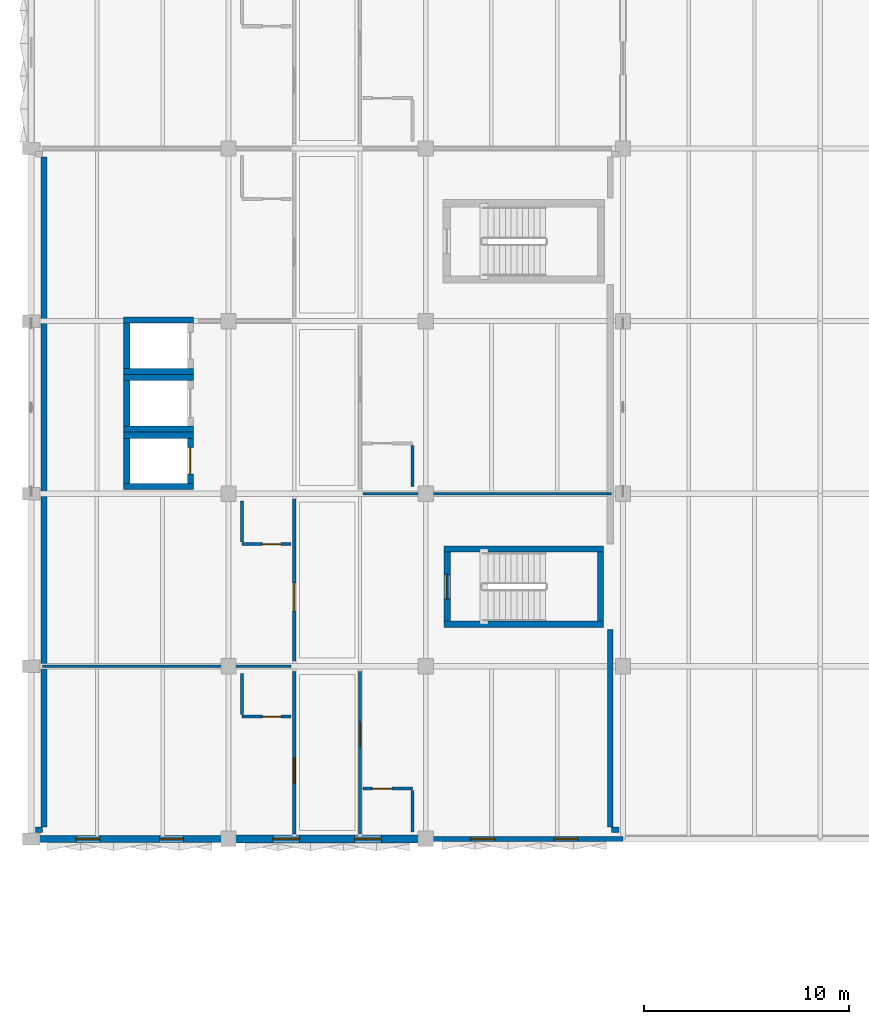
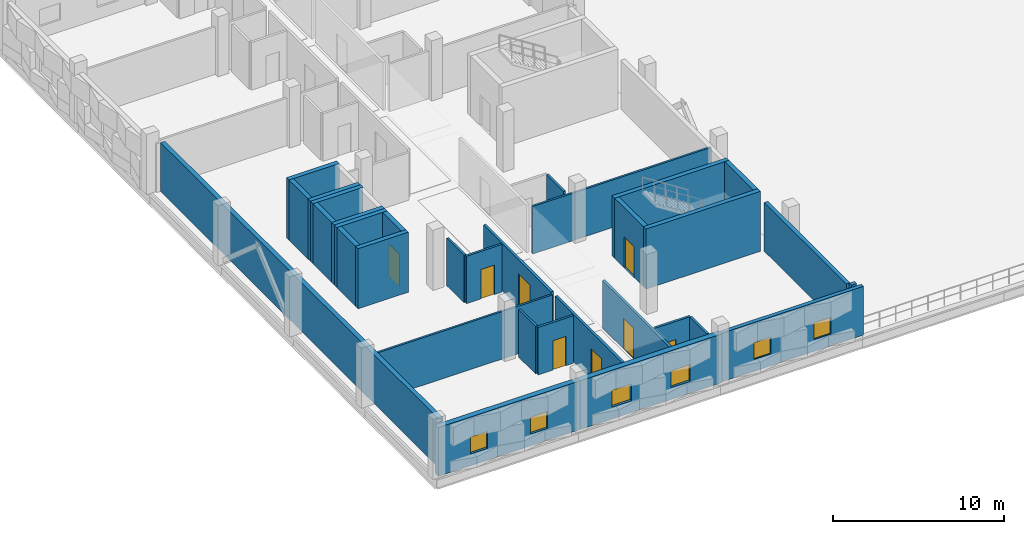
# One storey, part 54 of 86: 33 walls, 8 doors, 6 windows, 14 openings.
"""IFC4 building model written with IfcOpenShell, lengths in metres."""

from ifc_helpers import new_model, si_unit, direction, frame, frame_2d, origin, place, context, subcontext, project, spatial, rectangle, extrude, material, layer, layer_set, type_object, element, fill, save


model = new_model("IFC4")

# Units and contexts
model_context = context("Model", 3, precision=1e-05, world=origin(), true_north=direction((0.0, 1.0)))
body_context = subcontext(model_context, "Body", "Model", "MODEL_VIEW")
ifc_project = project(units=[si_unit("LENGTHUNIT", "METRE"), si_unit("AREAUNIT", "SQUARE_METRE"), si_unit("VOLUMEUNIT", "CUBIC_METRE"), si_unit("PLANEANGLEUNIT", "RADIAN"), si_unit("MASSUNIT", "GRAM", prefix="KILO")], contexts=[model_context])

# Site, building, storey
site_placement = place(None, origin())
site = spatial("IfcSite", under=ifc_project, at=site_placement, CompositionType="ELEMENT")
building_placement = place(site_placement, origin())
building = spatial("IfcBuilding", under=site, at=building_placement, Name="Oolite Switchyard Hospital", CompositionType="ELEMENT")
storey_placement = place(building_placement, frame((0.0, 0.0, 13.5)))
storey = spatial("IfcBuildingStorey", under=building, at=storey_placement, Name="L03", CompositionType="ELEMENT", Elevation=13.5)

# Wall, openings, windows
ifc_material_1 = material(Name="Precast oolitic limestone architectural concrete C40/50", Category="masonry")
ifc_layer_1 = layer(ifc_material_1, 0.260009765625)
ifc_layer_set_1 = layer_set([ifc_layer_1], Name="WAL-EXT-260")
wall_type_1 = type_object("IfcWallType", Name="WAL-EXT-260", PredefinedType="SOLIDWALL", material=ifc_layer_set_1)
wall_1_placement = place(storey_placement, frame((28.800048828125, 33.60009765625, 0.0), z_axis=(0.0, 0.0, 1.0), x_axis=(-1.0, 0.0, 0.0)))
wall_1 = element("IfcWall", 1, at=wall_1_placement, inside=storey, type_object=wall_type_1, Name="L03 Exterior Spandrel Wall 179", PredefinedType="SOLIDWALL", context=body_context, shape_type="SweptSolid", body=[
    extrude(rectangle(XDim=9.60009765625, YDim=0.260009765625, at=frame_2d((4.800048828125, 0.0))), origin(), (0.0, 0.0, 1.0), 3.489990234375),
])
opening_1_placement = place(wall_1_placement, frame((2.197021484375, 0.0, 0.85009765625)))
opening_1 = element("IfcOpeningElement", 2, at=opening_1_placement, cuts=wall_1, Name="Opening WN-0070", PredefinedType="OPENING", context=body_context, shape_type="SweptSolid", body=[
    extrude(rectangle(XDim=1.14990234375, YDim=1.199951171875, at=frame_2d((0.574951171875, 0.60009765625))), frame((0.0, 0.14013671875, 0.0), z_axis=(0.0, -1.0, 0.0), x_axis=(1.0, 0.0, 0.0)), (0.0, 0.0, 1.0), 0.280029296875),
])
opening_2_placement = place(wall_1_placement, frame((6.2529296875, 0.0, 0.85009765625)))
opening_2 = element("IfcOpeningElement", 3, at=opening_2_placement, cuts=wall_1, Name="Opening WN-0071", PredefinedType="OPENING", context=body_context, shape_type="SweptSolid", body=[
    extrude(rectangle(XDim=1.14990234375, YDim=1.199951171875, at=frame_2d((0.574951171875, 0.60009765625))), frame((0.0, 0.14013671875, 0.0), z_axis=(0.0, -1.0, 0.0), x_axis=(1.0, 0.0, 0.0)), (0.0, 0.0, 1.0), 0.280029296875),
])
ifc_material_2 = material(Name="Thermally broken aluminum frame with laminated impact glazing", Category="aluminium")
window_type_1 = type_object("IfcWindowType", Name="WIN-IMP-115X120", PartitioningType="SINGLE_PANEL", PredefinedType="WINDOW", material=ifc_material_2)
window_1_placement = place(opening_1_placement, origin())
window_1 = element("IfcWindow", 4, at=window_1_placement, inside=storey, type_object=window_type_1, Name="L03 Hurricane Impact Window WN-0070", OverallHeight=1.199951171875, OverallWidth=1.14990234375, PartitioningType="SINGLE_PANEL", PredefinedType="WINDOW", context=body_context, shape_type="SweptSolid", body=[
    extrude(rectangle(XDim=1.14990234375, YDim=1.199951171875, at=frame_2d((0.574951171875, 0.60009765625))), frame((0.0, 0.030029296875, 0.0), z_axis=(0.0, -1.0, 0.0), x_axis=(1.0, 0.0, 0.0)), (0.0, 0.0, 1.0), 0.06005859375),
])
fill(opening_1, window_1)
window_2_placement = place(opening_2_placement, origin())
window_2 = element("IfcWindow", 5, at=window_2_placement, inside=storey, type_object=window_type_1, Name="L03 Hurricane Impact Window WN-0071", OverallHeight=1.199951171875, OverallWidth=1.14990234375, PartitioningType="SINGLE_PANEL", PredefinedType="WINDOW", context=body_context, shape_type="SweptSolid", body=[
    extrude(rectangle(XDim=1.14990234375, YDim=1.199951171875, at=frame_2d((0.574951171875, 0.60009765625))), frame((0.0, 0.030029296875, 0.0), z_axis=(0.0, -1.0, 0.0), x_axis=(1.0, 0.0, 0.0)), (0.0, 0.0, 1.0), 0.06005859375),
])
fill(opening_2, window_2)

# Walls
for number, where, z_axis, x_axis, name in (
    (6, (0.199951171875, 34.0400390625, 0.0), (0.0, 0.0, 1.0), (1.0, 0.0, 0.0), "L03 Brace Alcove Cheek Wall 221"),
    (7, (28.60009765625, 34.0400390625, 0.0), (0.0, 0.0, 1.0), (-1.0, 0.0, 0.0), "L03 Brace Alcove Cheek Wall 227"),
):
    element("IfcWall", number, at=place(storey_placement, frame(where, z_axis=z_axis, x_axis=x_axis)), inside=storey, type_object=wall_type_1, Name=name, PredefinedType="SOLIDWALL", context=body_context, shape_type="SweptSolid", body=[
        extrude(rectangle(XDim=0.360107421875, YDim=0.260009765625, at=frame_2d((0.18017578125, 0.0))), origin(), (0.0, 0.0, 1.0), 3.489990234375),
    ])
wall_2_placement = place(storey_placement, frame((28.179931640625, 43.800048828125, 0.0), z_axis=(0.0, 0.0, 1.0), x_axis=(0.0, -1.0, 0.0)))
element("IfcWall", 8, at=wall_2_placement, inside=storey, type_object=wall_type_1, Name="L03 Exterior Spandrel Wall 228", PredefinedType="SOLIDWALL", context=body_context, shape_type="SweptSolid", body=[
    extrude(rectangle(XDim=9.6201171875, YDim=0.260009765625, at=frame_2d((4.81005859375, 0.0))), origin(), (0.0, 0.0, 1.0), 3.489990234375),
])
ifc_layer_2 = layer(ifc_material_1, 0.300048828125)
ifc_layer_set_2 = layer_set([ifc_layer_2], Name="WAL-EXT-300")
wall_type_2 = type_object("IfcWallType", Name="WAL-EXT-300", PredefinedType="SOLIDWALL", material=ifc_layer_set_2)
wall_3_placement = place(storey_placement, frame((0.6201171875, 34.179931640625, 0.0), z_axis=(0.0, 0.0, 1.0), x_axis=(0.0, 1.0, 0.0)))
element("IfcWall", 9, at=wall_3_placement, inside=storey, type_object=wall_type_2, Name="L03 Exterior Spandrel Wall 223", PredefinedType="SOLIDWALL", context=body_context, shape_type="SweptSolid", body=[
    extrude(rectangle(XDim=32.60009765625, YDim=0.300048828125, at=frame_2d((16.300048828125, 0.0))), origin(), (0.0, 0.0, 1.0), 3.489990234375),
])

# Wall, openings, windows
ifc_layer_3 = layer(ifc_material_1, 0.360107421875)
ifc_layer_set_3 = layer_set([ifc_layer_3], Name="WAL-EXT-360")
wall_type_3 = type_object("IfcWallType", Name="WAL-EXT-360", PredefinedType="SOLIDWALL", material=ifc_layer_set_3)
wall_4_placement = place(storey_placement, frame((9.60009765625, 33.60009765625, 0.0), z_axis=(0.0, 0.0, 1.0), x_axis=(-1.0, 0.0, 0.0)))
wall_4 = element("IfcWall", 10, at=wall_4_placement, inside=storey, type_object=wall_type_3, Name="L03 Exterior Spandrel Wall 177", PredefinedType="SOLIDWALL", context=body_context, shape_type="SweptSolid", body=[
    extrude(rectangle(XDim=9.60009765625, YDim=0.360107421875, at=frame_2d((4.800048828125, 0.0))), origin(), (0.0, 0.0, 1.0), 3.489990234375),
])
opening_3_placement = place(wall_4_placement, frame((2.197021484375, 0.0, 0.85009765625)))
opening_3 = element("IfcOpeningElement", 11, at=opening_3_placement, cuts=wall_4, Name="Opening WN-0066", PredefinedType="OPENING", context=body_context, shape_type="SweptSolid", body=[
    extrude(rectangle(XDim=1.14990234375, YDim=1.199951171875, at=frame_2d((0.574951171875, 0.60009765625))), frame((0.0, 0.18994140625, 0.0), z_axis=(0.0, -1.0, 0.0), x_axis=(1.0, 0.0, 0.0)), (0.0, 0.0, 1.0), 0.380126953125),
])
opening_4_placement = place(wall_4_placement, frame((6.2529296875, 0.0, 0.85009765625)))
opening_4 = element("IfcOpeningElement", 12, at=opening_4_placement, cuts=wall_4, Name="Opening WN-0067", PredefinedType="OPENING", context=body_context, shape_type="SweptSolid", body=[
    extrude(rectangle(XDim=1.14990234375, YDim=1.199951171875, at=frame_2d((0.574951171875, 0.60009765625))), frame((0.0, 0.18994140625, 0.0), z_axis=(0.0, -1.0, 0.0), x_axis=(1.0, 0.0, 0.0)), (0.0, 0.0, 1.0), 0.380126953125),
])
window_3_placement = place(opening_3_placement, origin())
window_3 = element("IfcWindow", 13, at=window_3_placement, inside=storey, type_object=window_type_1, Name="L03 Hurricane Impact Window WN-0066", OverallHeight=1.199951171875, OverallWidth=1.14990234375, PartitioningType="SINGLE_PANEL", PredefinedType="WINDOW", context=body_context, shape_type="SweptSolid", body=[
    extrude(rectangle(XDim=1.14990234375, YDim=1.199951171875, at=frame_2d((0.574951171875, 0.60009765625))), frame((0.0, 0.030029296875, 0.0), z_axis=(0.0, -1.0, 0.0), x_axis=(1.0, 0.0, 0.0)), (0.0, 0.0, 1.0), 0.06005859375),
])
fill(opening_3, window_3)
window_4_placement = place(opening_4_placement, origin())
window_4 = element("IfcWindow", 14, at=window_4_placement, inside=storey, type_object=window_type_1, Name="L03 Hurricane Impact Window WN-0067", OverallHeight=1.199951171875, OverallWidth=1.14990234375, PartitioningType="SINGLE_PANEL", PredefinedType="WINDOW", context=body_context, shape_type="SweptSolid", body=[
    extrude(rectangle(XDim=1.14990234375, YDim=1.199951171875, at=frame_2d((0.574951171875, 0.60009765625))), frame((0.0, 0.030029296875, 0.0), z_axis=(0.0, -1.0, 0.0), x_axis=(1.0, 0.0, 0.0)), (0.0, 0.0, 1.0), 0.06005859375),
])
fill(opening_4, window_4)

ifc_layer_4 = layer(ifc_material_1, 0.3798828125)
ifc_layer_set_4 = layer_set([ifc_layer_4], Name="WAL-EXT-380")
wall_type_4 = type_object("IfcWallType", Name="WAL-EXT-380", PredefinedType="SOLIDWALL", material=ifc_layer_set_4)
wall_5_placement = place(storey_placement, frame((19.199951171875, 33.60009765625, 0.0), z_axis=(0.0, 0.0, 1.0), x_axis=(-1.0, 0.0, 0.0)))
wall_5 = element("IfcWall", 15, at=wall_5_placement, inside=storey, type_object=wall_type_4, Name="L03 Exterior Spandrel Wall 178", PredefinedType="SOLIDWALL", context=body_context, shape_type="SweptSolid", body=[
    extrude(rectangle(XDim=9.599853515625, YDim=0.3798828125, at=frame_2d((4.7998046875, 0.0))), origin(), (0.0, 0.0, 1.0), 3.489990234375),
])
opening_5_placement = place(wall_5_placement, frame((2.157958984375, 0.0, 0.85009765625)))
opening_5 = element("IfcOpeningElement", 16, at=opening_5_placement, cuts=wall_5, Name="Opening WN-0068", PredefinedType="OPENING", context=body_context, shape_type="SweptSolid", body=[
    extrude(rectangle(XDim=1.300048828125, YDim=1.199951171875, at=frame_2d((0.64990234375, 0.60009765625))), frame((0.0, 0.199951171875, 0.0), z_axis=(0.0, -1.0, 0.0), x_axis=(1.0, 0.0, 0.0)), (0.0, 0.0, 1.0), 0.39990234375),
])
opening_6_placement = place(wall_5_placement, frame((6.14208984375, 0.0, 0.85009765625)))
opening_6 = element("IfcOpeningElement", 17, at=opening_6_placement, cuts=wall_5, Name="Opening WN-0069", PredefinedType="OPENING", context=body_context, shape_type="SweptSolid", body=[
    extrude(rectangle(XDim=1.300048828125, YDim=1.199951171875, at=frame_2d((0.64990234375, 0.60009765625))), frame((0.0, 0.199951171875, 0.0), z_axis=(0.0, -1.0, 0.0), x_axis=(1.0, 0.0, 0.0)), (0.0, 0.0, 1.0), 0.39990234375),
])
window_type_2 = type_object("IfcWindowType", Name="WIN-IMP-130X120", PartitioningType="SINGLE_PANEL", PredefinedType="WINDOW", material=ifc_material_2)
window_5_placement = place(opening_5_placement, origin())
window_5 = element("IfcWindow", 18, at=window_5_placement, inside=storey, type_object=window_type_2, Name="L03 Hurricane Impact Window WN-0068", OverallHeight=1.199951171875, OverallWidth=1.300048828125, PartitioningType="SINGLE_PANEL", PredefinedType="WINDOW", context=body_context, shape_type="SweptSolid", body=[
    extrude(rectangle(XDim=1.300048828125, YDim=1.199951171875, at=frame_2d((0.64990234375, 0.60009765625))), frame((0.0, 0.030029296875, 0.0), z_axis=(0.0, -1.0, 0.0), x_axis=(1.0, 0.0, 0.0)), (0.0, 0.0, 1.0), 0.06005859375),
])
fill(opening_5, window_5)
window_6_placement = place(opening_6_placement, origin())
window_6 = element("IfcWindow", 19, at=window_6_placement, inside=storey, type_object=window_type_2, Name="L03 Hurricane Impact Window WN-0069", OverallHeight=1.199951171875, OverallWidth=1.300048828125, PartitioningType="SINGLE_PANEL", PredefinedType="WINDOW", context=body_context, shape_type="SweptSolid", body=[
    extrude(rectangle(XDim=1.300048828125, YDim=1.199951171875, at=frame_2d((0.64990234375, 0.60009765625))), frame((0.0, 0.030029296875, 0.0), z_axis=(0.0, -1.0, 0.0), x_axis=(1.0, 0.0, 0.0)), (0.0, 0.0, 1.0), 0.06005859375),
])
fill(opening_6, window_6)

# Walls
ifc_material_3 = material(Name="Moisture-resistant gypsum board on steel studs", Category="steel")
ifc_layer_5 = layer(ifc_material_3, 0.135009765625)
ifc_layer_set_5 = layer_set([ifc_layer_5], Name="WAL-PART-135")
wall_type_5 = type_object("IfcWallType", Name="WAL-PART-135", PredefinedType="PARTITIONING", material=ifc_layer_set_5)
wall_6_placement = place(storey_placement, frame((0.550048828125, 42.0, 0.0), z_axis=(0.0, 0.0, 1.0), x_axis=(1.0, 0.0, 0.0)))
element("IfcWall", 20, at=wall_6_placement, inside=storey, type_object=wall_type_5, Name="L03 Interior Partition 641", PredefinedType="PARTITIONING", context=body_context, shape_type="SweptSolid", body=[
    extrude(rectangle(XDim=12.099853515625, YDim=0.135009765625, at=frame_2d((6.0498046875, 0.0))), origin(), (0.0, 0.0, 1.0), 3.39990234375),
])
wall_7_placement = place(storey_placement, frame((16.14990234375, 50.39990234375, 0.0), z_axis=(0.0, 0.0, 1.0), x_axis=(1.0, 0.0, 0.0)))
element("IfcWall", 21, at=wall_7_placement, inside=storey, type_object=wall_type_5, Name="L03 Interior Partition 645", PredefinedType="PARTITIONING", context=body_context, shape_type="SweptSolid", body=[
    extrude(rectangle(XDim=12.10009765625, YDim=0.135009765625, at=frame_2d((6.050048828125, 0.0))), origin(), (0.0, 0.0, 1.0), 3.39990234375),
])

# Wall, opening, door
ifc_layer_6 = layer(ifc_material_3, 0.14990234375)
ifc_layer_set_6 = layer_set([ifc_layer_6], Name="WAL-PART-150")
wall_type_6 = type_object("IfcWallType", Name="WAL-PART-150", PredefinedType="PARTITIONING", material=ifc_layer_set_6)
wall_8_placement = place(storey_placement, frame((10.25, 39.550048828125, 0.0), z_axis=(0.0, 0.0, 1.0), x_axis=(1.0, 0.0, 0.0)))
wall_8 = element("IfcWall", 22, at=wall_8_placement, inside=storey, type_object=wall_type_6, Name="L03 Interior Partition 633", PredefinedType="PARTITIONING", context=body_context, shape_type="SweptSolid", body=[
    extrude(rectangle(XDim=2.39990234375, YDim=0.14990234375, at=frame_2d((1.199951171875, 0.0))), origin(), (0.0, 0.0, 1.0), 3.39990234375),
])
opening_7_placement = place(wall_8_placement, frame((1.0, 0.0, 0.0)))
opening_7 = element("IfcOpeningElement", 23, at=opening_7_placement, cuts=wall_8, Name="Opening D-0355", PredefinedType="OPENING", context=body_context, shape_type="SweptSolid", body=[
    extrude(rectangle(XDim=0.89990234375, YDim=2.10009765625, at=frame_2d((0.449951171875, 1.050048828125))), frame((0.0, 0.0849609375, 0.0), z_axis=(0.0, -1.0, 0.0), x_axis=(1.0, 0.0, 0.0)), (0.0, 0.0, 1.0), 0.169921875),
])
ifc_material_4 = material(Name="Solid-core antimicrobial hardwood leaf in steel frame", Category="steel")
door_type_1 = type_object("IfcDoorType", Name="DR-BATH-090X210", OperationType="NOTDEFINED", PredefinedType="DOOR", material=ifc_material_4)
door_1_placement = place(opening_7_placement, origin())
door_1 = element("IfcDoor", 24, at=door_1_placement, inside=storey, type_object=door_type_1, Name="L03 Interior Door D-0355", OperationType="SINGLE_SWING_RIGHT", OverallHeight=2.10009765625, OverallWidth=0.89990234375, PredefinedType="DOOR", context=body_context, shape_type="SweptSolid", body=[
    extrude(rectangle(XDim=0.89990234375, YDim=2.10009765625, at=frame_2d((0.449951171875, 1.050048828125))), frame((0.0, 0.02490234375, 0.0), z_axis=(0.0, -1.0, 0.0), x_axis=(1.0, 0.0, 0.0)), (0.0, 0.0, 1.0), 0.050048828125),
])
fill(opening_7, door_1)

# Wall
wall_9_placement = place(storey_placement, frame((10.25, 39.64990234375, 0.0), z_axis=(0.0, 0.0, 1.0), x_axis=(0.0, 1.0, 0.0)))
element("IfcWall", 25, at=wall_9_placement, inside=storey, type_object=wall_type_6, Name="L03 Interior Partition 634", PredefinedType="PARTITIONING", context=body_context, shape_type="SweptSolid", body=[
    extrude(rectangle(XDim=2.0, YDim=0.14990234375, at=frame_2d((1.0, 0.0))), origin(), (0.0, 0.0, 1.0), 3.39990234375),
])

# Wall, opening, door
wall_10_placement = place(storey_placement, frame((16.14990234375, 36.050048828125, 0.0), z_axis=(0.0, 0.0, 1.0), x_axis=(1.0, 0.0, 0.0)))
wall_10 = element("IfcWall", 26, at=wall_10_placement, inside=storey, type_object=wall_type_6, Name="L03 Interior Partition 636", PredefinedType="PARTITIONING", context=body_context, shape_type="SweptSolid", body=[
    extrude(rectangle(XDim=2.400146484375, YDim=0.14990234375, at=frame_2d((1.2001953125, 0.0))), origin(), (0.0, 0.0, 1.0), 3.39990234375),
])
opening_8_placement = place(wall_10_placement, frame((0.449951171875, 0.0, 0.0)))
opening_8 = element("IfcOpeningElement", 27, at=opening_8_placement, cuts=wall_10, Name="Opening D-0357", PredefinedType="OPENING", context=body_context, shape_type="SweptSolid", body=[
    extrude(rectangle(XDim=0.949951171875, YDim=2.10009765625, at=frame_2d((0.47509765625, 1.050048828125))), frame((0.0, 0.0849609375, 0.0), z_axis=(0.0, -1.0, 0.0), x_axis=(1.0, 0.0, 0.0)), (0.0, 0.0, 1.0), 0.169921875),
])
door_type_2 = type_object("IfcDoorType", Name="DR-BATH-095X210", OperationType="NOTDEFINED", PredefinedType="DOOR", material=ifc_material_4)
door_2_placement = place(opening_8_placement, origin())
door_2 = element("IfcDoor", 28, at=door_2_placement, inside=storey, type_object=door_type_2, Name="L03 Interior Door D-0357", OperationType="SINGLE_SWING_LEFT", OverallHeight=2.10009765625, OverallWidth=0.949951171875, PredefinedType="DOOR", context=body_context, shape_type="SweptSolid", body=[
    extrude(rectangle(XDim=0.949951171875, YDim=2.10009765625, at=frame_2d((0.47509765625, 1.050048828125))), frame((0.0, 0.02490234375, 0.0), z_axis=(0.0, -1.0, 0.0), x_axis=(1.0, 0.0, 0.0)), (0.0, 0.0, 1.0), 0.050048828125),
])
fill(opening_8, door_2)

# Wall
wall_11_placement = place(storey_placement, frame((18.550048828125, 33.949951171875, 0.0), z_axis=(0.0, 0.0, 1.0), x_axis=(0.0, 1.0, 0.0)))
element("IfcWall", 29, at=wall_11_placement, inside=storey, type_object=wall_type_6, Name="L03 Interior Partition 637", PredefinedType="PARTITIONING", context=body_context, shape_type="SweptSolid", body=[
    extrude(rectangle(XDim=2.0, YDim=0.14990234375, at=frame_2d((1.0, 0.0))), origin(), (0.0, 0.0, 1.0), 3.39990234375),
])

# Wall, opening, door
wall_12_placement = place(storey_placement, frame((10.25, 47.949951171875, 0.0), z_axis=(0.0, 0.0, 1.0), x_axis=(1.0, 0.0, 0.0)))
wall_12 = element("IfcWall", 30, at=wall_12_placement, inside=storey, type_object=wall_type_6, Name="L03 Interior Partition 639", PredefinedType="PARTITIONING", context=body_context, shape_type="SweptSolid", body=[
    extrude(rectangle(XDim=2.39990234375, YDim=0.14990234375, at=frame_2d((1.199951171875, 0.0))), origin(), (0.0, 0.0, 1.0), 3.39990234375),
])
opening_9_placement = place(wall_12_placement, frame((1.0, 0.0, 0.0)))
opening_9 = element("IfcOpeningElement", 31, at=opening_9_placement, cuts=wall_12, Name="Opening D-0359", PredefinedType="OPENING", context=body_context, shape_type="SweptSolid", body=[
    extrude(rectangle(XDim=0.89990234375, YDim=2.10009765625, at=frame_2d((0.449951171875, 1.050048828125))), frame((0.0, 0.0849609375, 0.0), z_axis=(0.0, -1.0, 0.0), x_axis=(1.0, 0.0, 0.0)), (0.0, 0.0, 1.0), 0.169921875),
])
door_3_placement = place(opening_9_placement, origin())
door_3 = element("IfcDoor", 32, at=door_3_placement, inside=storey, type_object=door_type_1, Name="L03 Interior Door D-0359", OperationType="SINGLE_SWING_LEFT", OverallHeight=2.10009765625, OverallWidth=0.89990234375, PredefinedType="DOOR", context=body_context, shape_type="SweptSolid", body=[
    extrude(rectangle(XDim=0.89990234375, YDim=2.10009765625, at=frame_2d((0.449951171875, 1.050048828125))), frame((0.0, 0.02490234375, 0.0), z_axis=(0.0, -1.0, 0.0), x_axis=(1.0, 0.0, 0.0)), (0.0, 0.0, 1.0), 0.050048828125),
])
fill(opening_9, door_3)

# Walls
for number, where, z_axis, x_axis, name in (
    (33, (10.25, 48.050048828125, 0.0), (0.0, 0.0, 1.0), (0.0, 1.0, 0.0), "L03 Interior Partition 640"),
    (34, (18.550048828125, 50.75, 0.0), (0.0, 0.0, 1.0), (0.0, 1.0, 0.0), "L03 Interior Partition 644"),
):
    element("IfcWall", number, at=place(storey_placement, frame(where, z_axis=z_axis, x_axis=x_axis)), inside=storey, type_object=wall_type_6, Name=name, PredefinedType="PARTITIONING", context=body_context, shape_type="SweptSolid", body=[
        extrude(rectangle(XDim=2.0, YDim=0.14990234375, at=frame_2d((1.0, 0.0))), origin(), (0.0, 0.0, 1.0), 3.39990234375),
    ])

# Wall, opening, door
ifc_layer_7 = layer(ifc_material_3, 0.1650390625)
ifc_layer_set_7 = layer_set([ifc_layer_7], Name="WAL-PART-165")
wall_type_7 = type_object("IfcWallType", Name="WAL-PART-165", PredefinedType="PARTITIONING", material=ifc_layer_set_7)
wall_13_placement = place(storey_placement, frame((12.800048828125, 33.85009765625, 0.0), z_axis=(0.0, 0.0, 1.0), x_axis=(0.0, 1.0, 0.0)))
wall_13 = element("IfcWall", 35, at=wall_13_placement, inside=storey, type_object=wall_type_7, Name="L03 Interior Partition 632", PredefinedType="PARTITIONING", context=body_context, shape_type="SweptSolid", body=[
    extrude(rectangle(XDim=7.89990234375, YDim=0.1650390625, at=frame_2d((3.949951171875, 0.0))), origin(), (0.0, 0.0, 1.0), 3.39990234375),
])
opening_10_placement = place(wall_13_placement, frame((2.449951171875, 0.0, 0.0)))
opening_10 = element("IfcOpeningElement", 36, at=opening_10_placement, cuts=wall_13, Name="Opening D-0354", PredefinedType="OPENING", context=body_context, shape_type="SweptSolid", body=[
    extrude(rectangle(XDim=1.25, YDim=2.199951171875, at=frame_2d((0.625, 1.10009765625))), frame((0.0, 0.092529296875, 0.0), z_axis=(0.0, -1.0, 0.0), x_axis=(1.0, 0.0, 0.0)), (0.0, 0.0, 1.0), 0.18505859375),
])
door_type_3 = type_object("IfcDoorType", Name="DR-WARD-125X220", OperationType="NOTDEFINED", PredefinedType="DOOR", material=ifc_material_4)
door_4_placement = place(opening_10_placement, origin())
door_4 = element("IfcDoor", 37, at=door_4_placement, inside=storey, type_object=door_type_3, Name="L03 Interior Door D-0354", OperationType="SINGLE_SWING_LEFT", OverallHeight=2.199951171875, OverallWidth=1.25, PredefinedType="DOOR", context=body_context, shape_type="SweptSolid", body=[
    extrude(rectangle(XDim=1.25, YDim=2.199951171875, at=frame_2d((0.625, 1.10009765625))), frame((0.0, 0.02490234375, 0.0), z_axis=(0.0, -1.0, 0.0), x_axis=(1.0, 0.0, 0.0)), (0.0, 0.0, 1.0), 0.050048828125),
])
fill(opening_10, door_4)

wall_14_placement = place(storey_placement, frame((16.0, 33.85009765625, 0.0), z_axis=(0.0, 0.0, 1.0), x_axis=(0.0, 1.0, 0.0)))
wall_14 = element("IfcWall", 38, at=wall_14_placement, inside=storey, type_object=wall_type_7, Name="L03 Interior Partition 635", PredefinedType="PARTITIONING", context=body_context, shape_type="SweptSolid", body=[
    extrude(rectangle(XDim=7.89990234375, YDim=0.1650390625, at=frame_2d((3.949951171875, 0.0))), origin(), (0.0, 0.0, 1.0), 3.39990234375),
])
opening_11_placement = place(wall_14_placement, frame((4.25, 0.0, 0.0)))
opening_11 = element("IfcOpeningElement", 39, at=opening_11_placement, cuts=wall_14, Name="Opening D-0356", PredefinedType="OPENING", context=body_context, shape_type="SweptSolid", body=[
    extrude(rectangle(XDim=1.199951171875, YDim=2.199951171875, at=frame_2d((0.60009765625, 1.10009765625))), frame((0.0, 0.092529296875, 0.0), z_axis=(0.0, -1.0, 0.0), x_axis=(1.0, 0.0, 0.0)), (0.0, 0.0, 1.0), 0.18505859375),
])
door_type_4 = type_object("IfcDoorType", Name="DR-WARD-120X220", OperationType="NOTDEFINED", PredefinedType="DOOR", material=ifc_material_4)
door_5_placement = place(opening_11_placement, origin())
door_5 = element("IfcDoor", 40, at=door_5_placement, inside=storey, type_object=door_type_4, Name="L03 Interior Door D-0356", OperationType="SINGLE_SWING_RIGHT", OverallHeight=2.199951171875, OverallWidth=1.199951171875, PredefinedType="DOOR", context=body_context, shape_type="SweptSolid", body=[
    extrude(rectangle(XDim=1.199951171875, YDim=2.199951171875, at=frame_2d((0.60009765625, 1.10009765625))), frame((0.0, 0.02490234375, 0.0), z_axis=(0.0, -1.0, 0.0), x_axis=(1.0, 0.0, 0.0)), (0.0, 0.0, 1.0), 0.050048828125),
])
fill(opening_11, door_5)

wall_15_placement = place(storey_placement, frame((12.800048828125, 42.25, 0.0), z_axis=(0.0, 0.0, 1.0), x_axis=(0.0, 1.0, 0.0)))
wall_15 = element("IfcWall", 41, at=wall_15_placement, inside=storey, type_object=wall_type_7, Name="L03 Interior Partition 638", PredefinedType="PARTITIONING", context=body_context, shape_type="SweptSolid", body=[
    extrude(rectangle(XDim=7.89990234375, YDim=0.1650390625, at=frame_2d((3.949951171875, 0.0))), origin(), (0.0, 0.0, 1.0), 3.39990234375),
])
opening_12_placement = place(wall_15_placement, frame((2.449951171875, 0.0, 0.0)))
opening_12 = element("IfcOpeningElement", 42, at=opening_12_placement, cuts=wall_15, Name="Opening D-0358", PredefinedType="OPENING", context=body_context, shape_type="SweptSolid", body=[
    extrude(rectangle(XDim=1.35009765625, YDim=2.39990234375, at=frame_2d((0.675048828125, 1.199951171875))), frame((0.0, 0.092529296875, 0.0), z_axis=(0.0, -1.0, 0.0), x_axis=(1.0, 0.0, 0.0)), (0.0, 0.0, 1.0), 0.18505859375),
])
door_type_5 = type_object("IfcDoorType", Name="DR-ICU-135X240", OperationType="NOTDEFINED", PredefinedType="DOOR", material=ifc_material_4)
door_6_placement = place(opening_12_placement, origin())
door_6 = element("IfcDoor", 43, at=door_6_placement, inside=storey, type_object=door_type_5, Name="L03 Interior Door D-0358", OperationType="SINGLE_SWING_RIGHT", OverallHeight=2.39990234375, OverallWidth=1.35009765625, PredefinedType="DOOR", context=body_context, shape_type="SweptSolid", body=[
    extrude(rectangle(XDim=1.35009765625, YDim=2.39990234375, at=frame_2d((0.675048828125, 1.199951171875))), frame((0.0, 0.02490234375, 0.0), z_axis=(0.0, -1.0, 0.0), x_axis=(1.0, 0.0, 0.0)), (0.0, 0.0, 1.0), 0.050048828125),
])
fill(opening_12, door_6)

# Walls
ifc_material_5 = material(Name="Concrete C50/60", Category="concrete")
ifc_layer_8 = layer(ifc_material_5, 0.300048828125)
ifc_layer_set_8 = layer_set([ifc_layer_8], Name="WAL-SHR-300")
wall_type_8 = type_object("IfcWallType", Name="WAL-SHR-300", PredefinedType="SHEAR", material=ifc_layer_set_8)
wall_16_placement = place(storey_placement, frame((20.10009765625, 44.050048828125, 0.0), z_axis=(0.0, 0.0, 1.0), x_axis=(1.0, 0.0, 0.0)))
element("IfcWall", 44, at=wall_16_placement, inside=storey, type_object=wall_type_8, Name="L03 Core Shear Wall ST-01", PredefinedType="SHEAR", context=body_context, shape_type="SweptSolid", body=[
    extrude(rectangle(XDim=7.75, YDim=0.300048828125, at=frame_2d((3.875, 0.0))), origin(), (0.0, 0.0, 1.0), 4.300048828125),
])
wall_17_placement = place(storey_placement, frame((27.699951171875, 44.199951171875, 0.0), z_axis=(0.0, 0.0, 1.0), x_axis=(0.0, 1.0, 0.0)))
element("IfcWall", 45, at=wall_17_placement, inside=storey, type_object=wall_type_8, Name="L03 Core Shear Wall ST-01", PredefinedType="SHEAR", context=body_context, shape_type="SweptSolid", body=[
    extrude(rectangle(XDim=3.360107421875, YDim=0.300048828125, at=frame_2d((1.68017578125, 0.0))), origin(), (0.0, 0.0, 1.0), 4.300048828125),
])
wall_18_placement = place(storey_placement, frame((27.85009765625, 47.7099609375, 0.0), z_axis=(0.0, 0.0, 1.0), x_axis=(-1.0, 0.0, 0.0)))
element("IfcWall", 46, at=wall_18_placement, inside=storey, type_object=wall_type_8, Name="L03 Core Shear Wall ST-01", PredefinedType="SHEAR", context=body_context, shape_type="SweptSolid", body=[
    extrude(rectangle(XDim=7.75, YDim=0.300048828125, at=frame_2d((3.875, 0.0))), origin(), (0.0, 0.0, 1.0), 4.300048828125),
])

# Wall, opening, door
wall_19_placement = place(storey_placement, frame((20.25, 47.56005859375, 0.0), z_axis=(0.0, 0.0, 1.0), x_axis=(0.0, -1.0, 0.0)))
wall_19 = element("IfcWall", 47, at=wall_19_placement, inside=storey, type_object=wall_type_8, Name="L03 Core Shear Wall ST-01", PredefinedType="SHEAR", context=body_context, shape_type="SweptSolid", body=[
    extrude(rectangle(XDim=3.360107421875, YDim=0.300048828125, at=frame_2d((1.68017578125, 0.0))), origin(), (0.0, 0.0, 1.0), 4.300048828125),
])
opening_13_placement = place(wall_19_placement, frame((1.080078125, 0.0, 0.0)))
opening_13 = element("IfcOpeningElement", 48, at=opening_13_placement, cuts=wall_19, Name="Opening SD-004", PredefinedType="OPENING", context=body_context, shape_type="SweptSolid", body=[
    extrude(rectangle(XDim=1.199951171875, YDim=2.199951171875, at=frame_2d((0.60009765625, 1.10009765625))), frame((0.0, 0.16015625, 0.0), z_axis=(0.0, -1.0, 0.0), x_axis=(1.0, 0.0, 0.0)), (0.0, 0.0, 1.0), 0.320068359375),
])
ifc_material_6 = material(Name="Hollow metal fire-rated steel door assembly", Category="steel")
door_type_6 = type_object("IfcDoorType", Name="DR-STR-120X220", OperationType="NOTDEFINED", PredefinedType="DOOR", material=ifc_material_6)
door_7_placement = place(opening_13_placement, origin())
door_7 = element("IfcDoor", 49, at=door_7_placement, inside=storey, type_object=door_type_6, Name="L03 ST-01 Exit Stair Door SD-004", OperationType="SINGLE_SWING_RIGHT", OverallHeight=2.199951171875, OverallWidth=1.199951171875, PredefinedType="DOOR", context=body_context, shape_type="SweptSolid", body=[
    extrude(rectangle(XDim=1.199951171875, YDim=2.199951171875, at=frame_2d((0.60009765625, 1.10009765625))), frame((0.0, 0.02490234375, 0.0), z_axis=(0.0, -1.0, 0.0), x_axis=(1.0, 0.0, 0.0)), (0.0, 0.0, 1.0), 0.050048828125),
])
fill(opening_13, door_7)

# Wall
wall_20_placement = place(storey_placement, frame((4.5, 50.75, 0.0), z_axis=(0.0, 0.0, 1.0), x_axis=(1.0, 0.0, 0.0)))
element("IfcWall", 50, at=wall_20_placement, inside=storey, type_object=wall_type_8, Name="L03 Lift Shaft Shear Wall EL-05", PredefinedType="SHEAR", context=body_context, shape_type="SweptSolid", body=[
    extrude(rectangle(XDim=3.39990234375, YDim=0.300048828125, at=frame_2d((1.699951171875, 0.0))), origin(), (0.0, 0.0, 1.0), 4.300048828125),
])

# Wall, opening, door
wall_21_placement = place(storey_placement, frame((7.75, 50.89990234375, 0.0), z_axis=(0.0, 0.0, 1.0), x_axis=(0.0, 1.0, 0.0)))
wall_21 = element("IfcWall", 51, at=wall_21_placement, inside=storey, type_object=wall_type_8, Name="L03 Lift Shaft Shear Wall EL-05", PredefinedType="SHEAR", context=body_context, shape_type="SweptSolid", body=[
    extrude(rectangle(XDim=2.2001953125, YDim=0.300048828125, at=frame_2d((1.10009765625, 0.0))), origin(), (0.0, 0.0, 1.0), 4.300048828125),
])
opening_14_placement = place(wall_21_placement, frame((0.449951171875, 0.0, 0.0)))
opening_14 = element("IfcOpeningElement", 52, at=opening_14_placement, cuts=wall_21, Name="Opening LD-038", PredefinedType="OPENING", context=body_context, shape_type="SweptSolid", body=[
    extrude(rectangle(XDim=1.300048828125, YDim=2.300048828125, at=frame_2d((0.64990234375, 1.14990234375))), frame((0.0, 0.16015625, 0.0), z_axis=(0.0, -1.0, 0.0), x_axis=(1.0, 0.0, 0.0)), (0.0, 0.0, 1.0), 0.320068359375),
])
ifc_material_7 = material(Name="Brushed stainless steel fire-rated sliding landing door", Category="steel")
door_type_7 = type_object("IfcDoorType", Name="DR-LD-130X230", OperationType="NOTDEFINED", PredefinedType="DOOR", material=ifc_material_7)
door_8_placement = place(opening_14_placement, origin())
door_8 = element("IfcDoor", 53, at=door_8_placement, inside=storey, type_object=door_type_7, Name="L03 EL-05 Lift Landing Door LD-038", OperationType="SLIDING_TO_RIGHT", OverallHeight=2.300048828125, OverallWidth=1.300048828125, PredefinedType="DOOR", context=body_context, shape_type="SweptSolid", body=[
    extrude(rectangle(XDim=1.300048828125, YDim=2.300048828125, at=frame_2d((0.64990234375, 1.14990234375))), frame((0.0, 0.02490234375, 0.0), z_axis=(0.0, -1.0, 0.0), x_axis=(1.0, 0.0, 0.0)), (0.0, 0.0, 1.0), 0.050048828125),
])
fill(opening_14, door_8)

# Walls
wall_22_placement = place(storey_placement, frame((7.89990234375, 53.25, 0.0), z_axis=(0.0, 0.0, 1.0), x_axis=(-1.0, 0.0, 0.0)))
element("IfcWall", 54, at=wall_22_placement, inside=storey, type_object=wall_type_8, Name="L03 Lift Shaft Shear Wall EL-05", PredefinedType="SHEAR", context=body_context, shape_type="SweptSolid", body=[
    extrude(rectangle(XDim=3.39990234375, YDim=0.300048828125, at=frame_2d((1.699951171875, 0.0))), origin(), (0.0, 0.0, 1.0), 4.300048828125),
])
wall_23_placement = place(storey_placement, frame((4.64990234375, 53.10009765625, 0.0), z_axis=(0.0, 0.0, 1.0), x_axis=(0.0, -1.0, 0.0)))
element("IfcWall", 55, at=wall_23_placement, inside=storey, type_object=wall_type_8, Name="L03 Lift Shaft Shear Wall EL-05", PredefinedType="SHEAR", context=body_context, shape_type="SweptSolid", body=[
    extrude(rectangle(XDim=2.2001953125, YDim=0.300048828125, at=frame_2d((1.10009765625, 0.0))), origin(), (0.0, 0.0, 1.0), 4.300048828125),
])
for number, where, z_axis, x_axis, name in (
    (56, (4.5, 53.550048828125, 0.0), (0.0, 0.0, 1.0), (1.0, 0.0, 0.0), "L03 Lift Shaft Shear Wall EL-06"),
    (57, (7.89990234375, 56.050048828125, 0.0), (0.0, 0.0, 1.0), (-1.0, 0.0, 0.0), "L03 Lift Shaft Shear Wall EL-06"),
):
    element("IfcWall", number, at=place(storey_placement, frame(where, z_axis=z_axis, x_axis=x_axis)), inside=storey, type_object=wall_type_8, Name=name, PredefinedType="SHEAR", context=body_context, shape_type="SweptSolid", body=[
        extrude(rectangle(XDim=3.39990234375, YDim=0.300048828125, at=frame_2d((1.699951171875, 0.0))), origin(), (0.0, 0.0, 1.0), 4.300048828125),
    ])
wall_24_placement = place(storey_placement, frame((4.64990234375, 55.89990234375, 0.0), z_axis=(0.0, 0.0, 1.0), x_axis=(0.0, -1.0, 0.0)))
element("IfcWall", 58, at=wall_24_placement, inside=storey, type_object=wall_type_8, Name="L03 Lift Shaft Shear Wall EL-06", PredefinedType="SHEAR", context=body_context, shape_type="SweptSolid", body=[
    extrude(rectangle(XDim=2.199951171875, YDim=0.300048828125, at=frame_2d((1.10009765625, 0.0))), origin(), (0.0, 0.0, 1.0), 4.300048828125),
])
for number, where, z_axis, x_axis, name in (
    (59, (4.5, 56.35009765625, 0.0), (0.0, 0.0, 1.0), (1.0, 0.0, 0.0), "L03 Lift Shaft Shear Wall EL-07"),
    (60, (7.89990234375, 58.85009765625, 0.0), (0.0, 0.0, 1.0), (-1.0, 0.0, 0.0), "L03 Lift Shaft Shear Wall EL-07"),
):
    element("IfcWall", number, at=place(storey_placement, frame(where, z_axis=z_axis, x_axis=x_axis)), inside=storey, type_object=wall_type_8, Name=name, PredefinedType="SHEAR", context=body_context, shape_type="SweptSolid", body=[
        extrude(rectangle(XDim=3.39990234375, YDim=0.300048828125, at=frame_2d((1.699951171875, 0.0))), origin(), (0.0, 0.0, 1.0), 4.300048828125),
    ])
wall_25_placement = place(storey_placement, frame((4.64990234375, 58.699951171875, 0.0), z_axis=(0.0, 0.0, 1.0), x_axis=(0.0, -1.0, 0.0)))
element("IfcWall", 61, at=wall_25_placement, inside=storey, type_object=wall_type_8, Name="L03 Lift Shaft Shear Wall EL-07", PredefinedType="SHEAR", context=body_context, shape_type="SweptSolid", body=[
    extrude(rectangle(XDim=2.199951171875, YDim=0.300048828125, at=frame_2d((1.10009765625, 0.0))), origin(), (0.0, 0.0, 1.0), 4.300048828125),
])

save(model, "model.ifc")
